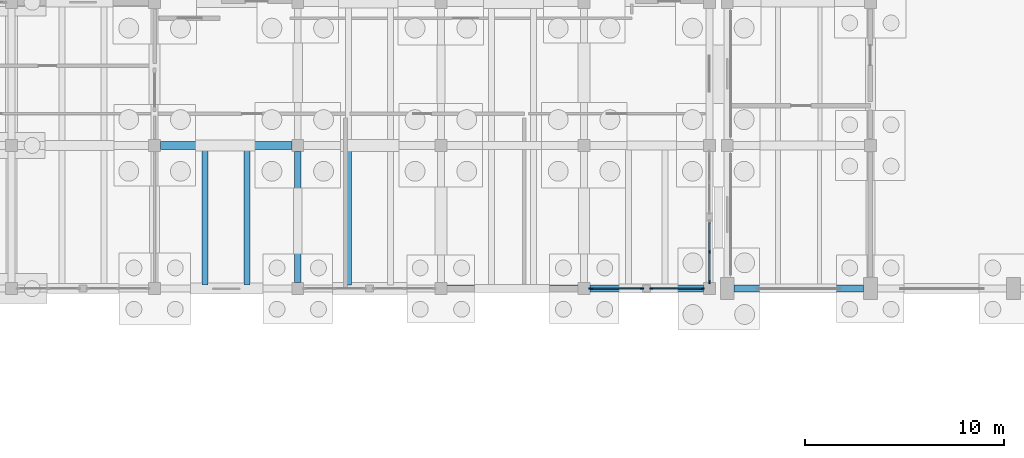
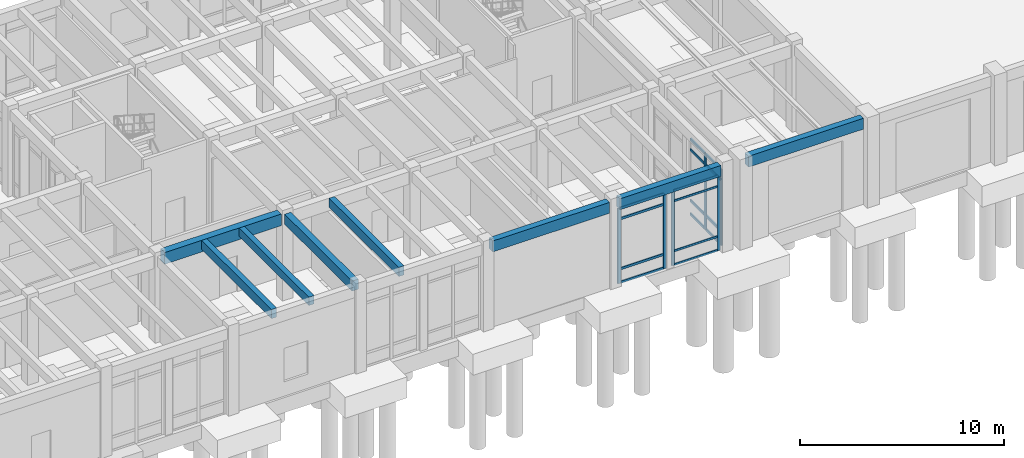
# One storey, part 24 of 93: 22 members, 8 beams, 3 elements without a shape of their own.
"""IFC4 building model written with IfcOpenShell, lengths in metres."""

import ifcopenshell
import ifcopenshell.guid

model = None  # the IFC model being written
_history = None  # IfcOwnerHistory: only IFC2X3 demands one
_inside = {}  # id of a spatial element -> (the spatial element, [elements in it])
_under = {}  # id of a project, library or spatial element -> (it, [spatial elements below it])
_declared = {}  # id of a project -> (the project, [libraries it declares])
_typed = {}  # id of a type object -> (the type object, [elements of that type])
_made_of = {}  # id of a material, layer set ... -> (it, [elements and type objects made of it])


def new_model(schema):
    """Start an empty IFC model of exactly this schema.

    Asked for "IFC4X3", IfcOpenShell would pick the latest addendum, in which some entities
    have other attributes; the version numbers below select the first issue.
    IFC2X3 requires an IfcOwnerHistory on every rooted entity: one is made here for all.
    """
    global model, _history
    if schema == "IFC4X3":
        model = ifcopenshell.file(schema_version=(4, 3, 0, 0))
    else:
        model = ifcopenshell.file(schema=schema)
    _inside.clear()
    _under.clear()
    _declared.clear()
    _typed.clear()
    _made_of.clear()
    _history = None
    if model.schema == "IFC2X3":
        org = make("IfcOrganization", Name="unknown")
        user = make(
            "IfcPersonAndOrganization",
            ThePerson=make("IfcPerson", FamilyName="unknown"),
            TheOrganization=org,
        )
        app = make(
            "IfcApplication",
            ApplicationDeveloper=org,
            Version="unknown",
            ApplicationFullName="unknown",
            ApplicationIdentifier="unknown",
        )
        _history = make(
            "IfcOwnerHistory",
            OwningUser=user,
            OwningApplication=app,
            ChangeAction="ADDED",
            CreationDate=0,
        )
    return model


def make(cls, **values):
    """One entity of the class cls with the attributes given. An attribute that is None is left unset."""
    return model.create_entity(
        cls, **{name: value for name, value in values.items() if value is not None}
    )


def rooted(cls, **values):
    """An entity with a GlobalId (a new one), such as an element, a storey or a relation."""
    return make(cls, GlobalId=ifcopenshell.guid.new(), OwnerHistory=_history, **values)


def si_unit(unit_type, name, prefix=None):
    """IfcSIUnit, for example si_unit("LENGTHUNIT", "METRE", prefix="MILLI")."""
    return make("IfcSIUnit", UnitType=unit_type, Prefix=prefix, Name=name)


def assignment(units):
    """IfcUnitAssignment: the units of a project."""
    return None if units is None else make("IfcUnitAssignment", Units=units)


def point(xyz):
    """IfcCartesianPoint."""
    return None if xyz is None else make("IfcCartesianPoint", Coordinates=xyz)


def direction(xyz):
    """IfcDirection."""
    return None if xyz is None else make("IfcDirection", DirectionRatios=xyz)


def frame(location, z_axis=None, x_axis=None):
    """IfcAxis2Placement3D, a coordinate frame: its origin and axes. An axis left out is left unset."""
    return make(
        "IfcAxis2Placement3D",
        Location=point(location),
        Axis=direction(z_axis),
        RefDirection=direction(x_axis),
    )


def frame_2d(location, x_axis=None):
    """IfcAxis2Placement2D, a coordinate frame in the plane: its origin and x axis."""
    return make(
        "IfcAxis2Placement2D", Location=point(location), RefDirection=direction(x_axis)
    )


def origin():
    """The frame at (0, 0, 0) with its axes left unset."""
    return frame((0.0, 0.0, 0.0))


def origin_2d():
    """The frame at (0, 0) in the plane with its x axis left unset."""
    return frame_2d((0.0, 0.0))


def place(relative_to, where):
    """IfcLocalPlacement: puts the frame where relative to a parent placement (None: the world)."""
    return make(
        "IfcLocalPlacement", PlacementRelTo=relative_to, RelativePlacement=where
    )


def context(
    kind, dimensions, precision=None, world=None, true_north=None, identifier=None
):
    """IfcGeometricRepresentationContext, for example the 3D "Model" context."""
    return make(
        "IfcGeometricRepresentationContext",
        ContextIdentifier=identifier,
        ContextType=kind,
        CoordinateSpaceDimension=dimensions,
        Precision=precision,
        WorldCoordinateSystem=world,
        TrueNorth=true_north,
    )


def subcontext(parent, identifier, kind, view, scale=None):
    """IfcGeometricRepresentationSubContext, for example "Body" below "Model"."""
    return make(
        "IfcGeometricRepresentationSubContext",
        ContextIdentifier=identifier,
        ContextType=kind,
        ParentContext=parent,
        TargetScale=scale,
        TargetView=view,
    )


def project(units=None, contexts=None):
    """IfcProject with its units and contexts."""
    return rooted(
        "IfcProject",
        Name="project",
        RepresentationContexts=contexts,
        UnitsInContext=assignment(units),
    )


def spatial(cls, under=None, at=None, **own):
    """A site, building, storey or space (cls), placed at a placement, below another one or the project."""
    s = rooted(cls, ObjectPlacement=at, **own)
    if under is not None:
        _under.setdefault(under.id(), (under, []))[1].append(s)
    return s


def profile(cls, at=None, kind="AREA", **sizes):
    """A parametric profile (cls). Its sizes go by their IFC names, for example OverallWidth=200.0."""
    return make(cls, ProfileType=kind, Position=at, **sizes)


def rectangle(**sizes):
    """IfcRectangleProfileDef."""
    return profile("IfcRectangleProfileDef", **sizes)


def extrude(swept, where, along, depth):
    """IfcExtrudedAreaSolid: the profile swept, set in the frame where, extruded along a direction by depth."""
    return make(
        "IfcExtrudedAreaSolid",
        SweptArea=swept,
        Position=where,
        ExtrudedDirection=direction(along),
        Depth=depth,
    )


def shape(context_of_items, identifier, shape_type, items):
    """IfcShapeRepresentation: the items that make up one representation, for example the "Body"."""
    return make(
        "IfcShapeRepresentation",
        ContextOfItems=context_of_items,
        RepresentationIdentifier=identifier,
        RepresentationType=shape_type,
        Items=items,
    )


def material(Name=None, Category=None):
    """IfcMaterial."""
    return make("IfcMaterial", Name=Name, Category=Category)


def layer(
    of_material, thickness, ventilated=None, Name=None, Category=None, Priority=None
):
    """IfcMaterialLayer: one layer of a wall or slab, of a material (None: an air gap)."""
    return make(
        "IfcMaterialLayer",
        Material=of_material,
        LayerThickness=thickness,
        IsVentilated=ventilated,
        Name=Name,
        Category=Category,
        Priority=Priority,
    )


def layer_set(layers, Name=None):
    """IfcMaterialLayerSet."""
    return make("IfcMaterialLayerSet", MaterialLayers=layers, LayerSetName=Name)


def material_profile(
    of_material, cross_section, Name=None, Category=None, Priority=None
):
    """IfcMaterialProfile: a cross section and its material."""
    return make(
        "IfcMaterialProfile",
        Name=Name,
        Material=of_material,
        Profile=cross_section,
        Priority=Priority,
        Category=Category,
    )


def profile_set(profiles, Name=None, composite=None):
    """IfcMaterialProfileSet."""
    return make(
        "IfcMaterialProfileSet",
        Name=Name,
        MaterialProfiles=profiles,
        CompositeProfile=composite,
    )


def made_of(thing, what):
    """Note that an element or type object is made of a material, layer set ...; save() writes the relation."""
    if what is not None:
        _made_of.setdefault(what.id(), (what, []))[1].append(thing)
    return thing


def type_object(cls, material=None, **own):
    """A type object (cls), such as IfcWallType, which elements share."""
    return made_of(rooted(cls, **own), material)


def element(
    cls,
    number,
    at=None,
    inside=None,
    cuts=None,
    type_object=None,
    material=None,
    context=None,
    identifier="Body",
    shape_type=None,
    held_by="IfcProductDefinitionShape",
    body=None,
    shapes=None,
    **own,
):
    """One element of the class cls, such as IfcWall. Its Tag is "e" and its number.

    at: its placement. inside: the storey or other place that contains it. cuts: it is an
    opening in that element (IfcRelVoidsElement). A single representation is given by context,
    identifier, shape_type and body (its items); several are given by shapes. held_by: the class
    of the entity that holds the representations. save() writes the other relations.
    """
    e = rooted(cls, Tag="e%d" % number, ObjectPlacement=at, **own)
    if body is not None:
        shapes = [shape(context, identifier, shape_type, body)]
    if shapes is not None:
        e.Representation = make(held_by, Representations=shapes)
    if inside is not None:
        _inside.setdefault(inside.id(), (inside, []))[1].append(e)
    if cuts is not None:
        rooted(
            "IfcRelVoidsElement", RelatingBuildingElement=cuts, RelatedOpeningElement=e
        )
    if type_object is not None:
        _typed.setdefault(type_object.id(), (type_object, []))[1].append(e)
    return made_of(e, material)


def aggregate(whole, parts):
    """IfcRelAggregates: a whole, such as a stair, and the parts it consists of."""
    return rooted("IfcRelAggregates", RelatingObject=whole, RelatedObjects=parts)


def save(model, path):
    """Write the relations noted so far, then the file.

    IfcRelAggregates (storeys below a building ...), IfcRelContainedInSpatialStructure (elements
    in a storey), IfcRelDefinesByType, IfcRelAssociatesMaterial and IfcRelDeclares: one each for
    every whole, place, type object, material and project.
    """
    for whole, parts in _under.values():
        aggregate(whole, parts)
    for where, things in _inside.values():
        rooted(
            "IfcRelContainedInSpatialStructure",
            RelatedElements=things,
            RelatingStructure=where,
        )
    for kind, things in _typed.values():
        rooted("IfcRelDefinesByType", RelatedObjects=things, RelatingType=kind)
    for what, things in _made_of.values():
        rooted("IfcRelAssociatesMaterial", RelatedObjects=things, RelatingMaterial=what)
    for by, libraries in _declared.values():
        rooted("IfcRelDeclares", RelatingContext=by, RelatedDefinitions=libraries)
    model.write(path)


model = new_model("IFC4")

# Units and contexts
model_context = context("Model", 3, precision=1e-05, world=origin(), true_north=direction((0.0, 1.0)))
body_context = subcontext(model_context, "Body", "Model", "MODEL_VIEW")
ifc_project = project(units=[si_unit("LENGTHUNIT", "METRE"), si_unit("AREAUNIT", "SQUARE_METRE"), si_unit("VOLUMEUNIT", "CUBIC_METRE"), si_unit("PLANEANGLEUNIT", "RADIAN"), si_unit("MASSUNIT", "GRAM", prefix="KILO")], contexts=[model_context])

# Site, building, storey
site_placement = place(None, origin())
site = spatial("IfcSite", under=ifc_project, at=site_placement, CompositionType="ELEMENT")
building_placement = place(site_placement, origin())
building = spatial("IfcBuilding", under=site, at=building_placement, Name="Koriwan Promenade Central Fire Station", CompositionType="ELEMENT")
storey_placement = place(building_placement, origin())
storey = spatial("IfcBuildingStorey", under=building, at=storey_placement, Name="L00", CompositionType="ELEMENT", Elevation=0.0)

# Beams
ifc_material_1 = material(Name="Concrete C35/45", Category="concrete")
ifc_material_profile_1 = material_profile(ifc_material_1, rectangle(XDim=0.300048828125, YDim=0.5, at=origin_2d()), Name="RC-BM-300x500")
ifc_profile_set_1 = profile_set([ifc_material_profile_1], Name="Concrete C35/45")
beam_type_1 = type_object("IfcBeamType", Name="Beam_RC-BM-300x500", PredefinedType="JOIST", material=ifc_profile_set_1)
beam_1_placement = place(storey_placement, frame((33.4560546875, 43.375, 4.89990234375), z_axis=(0.0, 1.0, 0.0), x_axis=(-1.0, 0.0, 0.0)))
element("IfcBeam", 1, at=beam_1_placement, inside=storey, type_object=beam_type_1, Name="V4 L00 secondary joist 387", PredefinedType="JOIST", context=body_context, shape_type="SweptSolid", body=[
    extrude(rectangle(XDim=0.300048828125, YDim=0.5, at=origin_2d()), origin(), (0.0, 0.0, 1.0), 6.824951171875),
])
ifc_material_profile_2 = material_profile(ifc_material_1, rectangle(XDim=0.300048828125, YDim=0.550048828125, at=origin_2d()), Name="RC-BM-300x550")
ifc_profile_set_2 = profile_set([ifc_material_profile_2], Name="Concrete C35/45")
beam_type_2 = type_object("IfcBeamType", Name="Beam_RC-BM-300x550", PredefinedType="JOIST", material=ifc_profile_set_2)
for number, where, z_axis, x_axis, name in (
    (2, (31.343994140625, 43.375, 4.875), (0.0, 1.0, 0.0), (-1.0, 0.0, 0.0), "V4 L00 secondary joist 386"),
    (3, (38.5439453125, 43.375, 4.875), (0.0, 1.0, 0.0), (-1.0, 0.0, 0.0), "V4 L00 secondary joist 388"),
):
    element("IfcBeam", number, at=place(storey_placement, frame(where, z_axis=z_axis, x_axis=x_axis)), inside=storey, type_object=beam_type_2, Name=name, PredefinedType="JOIST", context=body_context, shape_type="SweptSolid", body=[
        extrude(rectangle(XDim=0.300048828125, YDim=0.550048828125, at=origin_2d()), origin(), (0.0, 0.0, 1.0), 6.824951171875),
    ])
ifc_material_profile_3 = material_profile(ifc_material_1, rectangle(XDim=0.35009765625, YDim=0.60009765625, at=origin_2d()), Name="RC-BM-350x600")
ifc_profile_set_3 = profile_set([ifc_material_profile_3], Name="Concrete C35/45")
beam_type_3 = type_object("IfcBeamType", Name="Beam_RC-BM-350x600", PredefinedType="BEAM", material=ifc_profile_set_3)
beam_2_placement = place(storey_placement, frame((36.0, 43.5, 4.85009765625), z_axis=(0.0, 1.0, 0.0), x_axis=(-1.0, 0.0, 0.0)))
element("IfcBeam", 4, at=beam_2_placement, inside=storey, type_object=beam_type_3, Name="V4 L00 girder Y-366", PredefinedType="BEAM", context=body_context, shape_type="SweptSolid", body=[
    extrude(rectangle(XDim=0.35009765625, YDim=0.60009765625, at=origin_2d()), origin(), (0.0, 0.0, 1.0), 6.60009765625),
])
ifc_material_profile_4 = material_profile(ifc_material_1, rectangle(XDim=0.39990234375, YDim=0.699951171875, at=origin_2d()), Name="RC-BM-400x700")
ifc_profile_set_4 = profile_set([ifc_material_profile_4], Name="Concrete C35/45")
beam_type_4 = type_object("IfcBeamType", Name="Beam_RC-BM-400x700", PredefinedType="BEAM", material=ifc_profile_set_4)
beam_3_placement = place(storey_placement, frame((29.10009765625, 50.39990234375, 4.800048828125), z_axis=(1.0, 0.0, 0.0), x_axis=(0.0, 1.0, 0.0)))
element("IfcBeam", 5, at=beam_3_placement, inside=storey, type_object=beam_type_4, Name="V4 L00 girder X-336", PredefinedType="BEAM", context=body_context, shape_type="SweptSolid", body=[
    extrude(rectangle(XDim=0.39990234375, YDim=0.699951171875, at=origin_2d()), origin(), (0.0, 0.0, 1.0), 6.599853515625),
])
ifc_material_profile_5 = material_profile(ifc_material_1, rectangle(XDim=0.35009765625, YDim=0.64990234375, at=origin_2d()), Name="RC-SP-350x650")
ifc_profile_set_5 = profile_set([ifc_material_profile_5], Name="Concrete C35/45")
beam_type_5 = type_object("IfcBeamType", Name="Beam_RC-SP-350x650", PredefinedType="SPANDREL", material=ifc_profile_set_5)
beam_4_placement = place(storey_placement, frame((57.949951171875, 43.199951171875, 4.824951171875), z_axis=(1.0, 0.0, 0.0), x_axis=(0.0, 1.0, 0.0)))
element("IfcBeam", 6, at=beam_4_placement, inside=storey, type_object=beam_type_5, Name="V1 L00 girder X-1", PredefinedType="SPANDREL", context=body_context, shape_type="SweptSolid", body=[
    extrude(rectangle(XDim=0.35009765625, YDim=0.64990234375, at=origin_2d()), origin(), (0.0, 0.0, 1.0), 6.5),
])
beam_5_placement = place(storey_placement, frame((43.5, 43.199951171875, 4.824951171875), z_axis=(1.0, 0.0, 0.0), x_axis=(0.0, 1.0, 0.0)))
element("IfcBeam", 7, at=beam_5_placement, inside=storey, type_object=beam_type_5, Name="V4 L00 girder X-330", PredefinedType="SPANDREL", context=body_context, shape_type="SweptSolid", body=[
    extrude(rectangle(XDim=0.35009765625, YDim=0.64990234375, at=origin_2d()), origin(), (0.0, 0.0, 1.0), 6.60009765625),
])
beam_6_placement = place(storey_placement, frame((50.699951171875, 43.199951171875, 4.824951171875), z_axis=(1.0, 0.0, 0.0), x_axis=(0.0, 1.0, 0.0)))
element("IfcBeam", 8, at=beam_6_placement, inside=storey, type_object=beam_type_5, Name="V4 L00 girder X-331", PredefinedType="SPANDREL", context=body_context, shape_type="SweptSolid", body=[
    extrude(rectangle(XDim=0.35009765625, YDim=0.64990234375, at=origin_2d()), origin(), (0.0, 0.0, 1.0), 5.699951171875),
])

# Curtain wall, members
ifc_material_2 = material(Name="Aluminium EN AW-6063-T6 and low-E glazing", Category="aluminium")
ifc_layer_1 = layer(ifc_material_2, 0.159912109375, Name="Aluminium EN AW-6063-T6 and low-E glazing")
ifc_layer_set_1 = layer_set([ifc_layer_1], Name="Aluminium EN AW-6063-T6 and low-E glazing")
curtain_wall_type_1 = type_object("IfcCurtainWallType", Name="CurtainWall_40_265x449", PredefinedType="USERDEFINED", material=ifc_layer_set_1)
curtain_wall_1_placement = place(storey_placement, origin())
curtain_wall_1 = element("IfcCurtainWall", 9, at=curtain_wall_1_placement, inside=storey, type_object=curtain_wall_type_1, Name="V4 L00 unitised curtain wall 101", ObjectType="UNITISED CURTAIN WALL", PredefinedType="USERDEFINED")
ifc_material_3 = material(Name="Aluminium EN AW-6063-T6", Category="aluminium")
ifc_material_profile_6 = material_profile(ifc_material_3, rectangle(XDim=0.06494140625, YDim=0.159912109375, at=origin_2d()), Name="ALU-MUL-65x160")
ifc_profile_set_6 = profile_set([ifc_material_profile_6], Name="Aluminium EN AW-6063-T6")
member_type_1 = type_object("IfcMemberType", Name="CWMullion_ALU-MUL-65x160", PredefinedType="MULLION", material=ifc_profile_set_6)
member_1_placement = place(storey_placement, frame((56.367431640625, 43.199951171875, 0.0), z_axis=(0.0, 0.0, 1.0), x_axis=(0.0, -1.0, 0.0)))
member_1 = element("IfcMember", 10, at=member_1_placement, type_object=member_type_1, Name="CW-40 mullion 1", PredefinedType="MULLION", context=body_context, shape_type="SweptSolid", body=[
    extrude(rectangle(XDim=0.06494140625, YDim=0.159912109375, at=origin_2d()), origin(), (0.0, 0.0, 1.0), 4.489990234375),
])
member_2_placement = place(storey_placement, frame((53.782470703125, 43.199951171875, 0.0), z_axis=(0.0, 0.0, 1.0), x_axis=(0.0, -1.0, 0.0)))
member_2 = element("IfcMember", 11, at=member_2_placement, type_object=member_type_1, Name="CW-40 mullion 2", PredefinedType="MULLION", context=body_context, shape_type="SweptSolid", body=[
    extrude(rectangle(XDim=0.06494140625, YDim=0.159912109375, at=origin_2d()), origin(), (0.0, 0.0, 1.0), 4.489990234375),
])

ifc_layer_2 = layer(ifc_material_2, 0.159912109375, Name="Aluminium EN AW-6063-T6 and low-E glazing")
ifc_layer_set_2 = layer_set([ifc_layer_2], Name="Aluminium EN AW-6063-T6 and low-E glazing")
curtain_wall_type_2 = type_object("IfcCurtainWallType", Name="CurtainWall_34_310x454", PredefinedType="USERDEFINED", material=ifc_layer_set_2)
curtain_wall_2_placement = place(storey_placement, origin())
curtain_wall_2 = element("IfcCurtainWall", 12, at=curtain_wall_2_placement, inside=storey, type_object=curtain_wall_type_2, Name="V4 L00 unitised curtain wall 100", ObjectType="UNITISED CURTAIN WALL", PredefinedType="USERDEFINED")
ifc_material_profile_7 = material_profile(ifc_material_3, rectangle(XDim=0.074951171875, YDim=0.179931640625, at=origin_2d()), Name="ALU-MUL-75x180")
ifc_profile_set_7 = profile_set([ifc_material_profile_7], Name="Aluminium EN AW-6063-T6")
member_type_2 = type_object("IfcMemberType", Name="CWMullion_ALU-MUL-75x180", PredefinedType="MULLION", material=ifc_profile_set_7)
member_3_placement = place(storey_placement, frame((56.699951171875, 45.050048828125, 0.0), z_axis=(0.0, 0.0, 1.0), x_axis=(1.0, 0.0, 0.0)))
member_3 = element("IfcMember", 13, at=member_3_placement, type_object=member_type_2, Name="CW-34 mullion 2", PredefinedType="MULLION", context=body_context, shape_type="SweptSolid", body=[
    extrude(rectangle(XDim=0.074951171875, YDim=0.179931640625, at=origin_2d()), origin(), (0.0, 0.0, 1.0), 4.5400390625),
])
member_4_placement = place(storey_placement, frame((56.699951171875, 43.53759765625, 0.0), z_axis=(0.0, 0.0, 1.0), x_axis=(1.0, 0.0, 0.0)))
member_4 = element("IfcMember", 14, at=member_4_placement, type_object=member_type_2, Name="CW-34 mullion 3", PredefinedType="MULLION", context=body_context, shape_type="SweptSolid", body=[
    extrude(rectangle(XDim=0.074951171875, YDim=0.179931640625, at=origin_2d()), origin(), (0.0, 0.0, 1.0), 4.5400390625),
])

ifc_layer_3 = layer(ifc_material_2, 0.159912109375, Name="Aluminium EN AW-6063-T6 and low-E glazing")
ifc_layer_set_3 = layer_set([ifc_layer_3], Name="Aluminium EN AW-6063-T6 and low-E glazing")
curtain_wall_type_3 = type_object("IfcCurtainWallType", Name="CurtainWall_41_265x449", PredefinedType="USERDEFINED", material=ifc_layer_set_3)
curtain_wall_3_placement = place(storey_placement, origin())
curtain_wall_3 = element("IfcCurtainWall", 15, at=curtain_wall_3_placement, inside=storey, type_object=curtain_wall_type_3, Name="V4 L00 unitised curtain wall 102", ObjectType="UNITISED CURTAIN WALL", PredefinedType="USERDEFINED")
member_5_placement = place(storey_placement, frame((53.3125, 43.199951171875, 0.0), z_axis=(0.0, 0.0, 1.0), x_axis=(0.0, -1.0, 0.0)))
member_5 = element("IfcMember", 16, at=member_5_placement, type_object=member_type_2, Name="CW-41 mullion 1", PredefinedType="MULLION", context=body_context, shape_type="SweptSolid", body=[
    extrude(rectangle(XDim=0.074951171875, YDim=0.179931640625, at=origin_2d()), origin(), (0.0, 0.0, 1.0), 4.489990234375),
])
member_6_placement = place(storey_placement, frame((50.737548828125, 43.199951171875, 0.0), z_axis=(0.0, 0.0, 1.0), x_axis=(0.0, -1.0, 0.0)))
member_6 = element("IfcMember", 17, at=member_6_placement, type_object=member_type_2, Name="CW-41 mullion 2", PredefinedType="MULLION", context=body_context, shape_type="SweptSolid", body=[
    extrude(rectangle(XDim=0.074951171875, YDim=0.179931640625, at=origin_2d()), origin(), (0.0, 0.0, 1.0), 4.489990234375),
])

# Member
ifc_material_profile_8 = material_profile(ifc_material_3, rectangle(XDim=0.06494140625, YDim=0.1201171875, at=origin_2d()), Name="ALU-TRN-65x120")
ifc_profile_set_8 = profile_set([ifc_material_profile_8], Name="Aluminium EN AW-6063-T6")
member_type_3 = type_object("IfcMemberType", Name="CWTransom_ALU-TRN-65x120", PredefinedType="USERDEFINED", material=ifc_profile_set_8)
member_7_placement = place(storey_placement, frame((56.3349609375, 43.199951171875, 0.032470703125), z_axis=(-1.0, 0.0, 0.0), x_axis=(0.0, -1.0, 0.0)))
member_7 = element("IfcMember", 18, at=member_7_placement, type_object=member_type_3, Name="CW-40 transom 1.1", ObjectType="TRANSOM", PredefinedType="USERDEFINED", context=body_context, shape_type="SweptSolid", body=[
    extrude(rectangle(XDim=0.06494140625, YDim=0.1201171875, at=origin_2d()), origin(), (0.0, 0.0, 1.0), 2.52001953125),
])

member_8_placement = place(storey_placement, frame((56.3349609375, 43.199951171875, 0.85009765625), z_axis=(-1.0, 0.0, 0.0), x_axis=(0.0, -1.0, 0.0)))
member_8 = element("IfcMember", 19, at=member_8_placement, type_object=member_type_3, Name="CW-40 transom 1.2", ObjectType="TRANSOM", PredefinedType="USERDEFINED", context=body_context, shape_type="SweptSolid", body=[
    extrude(rectangle(XDim=0.06494140625, YDim=0.1201171875, at=origin_2d()), origin(), (0.0, 0.0, 1.0), 2.52001953125),
])

member_9_placement = place(storey_placement, frame((56.3349609375, 43.199951171875, 3.840087890625), z_axis=(-1.0, 0.0, 0.0), x_axis=(0.0, -1.0, 0.0)))
member_9 = element("IfcMember", 20, at=member_9_placement, type_object=member_type_3, Name="CW-40 transom 1.3", ObjectType="TRANSOM", PredefinedType="USERDEFINED", context=body_context, shape_type="SweptSolid", body=[
    extrude(rectangle(XDim=0.06494140625, YDim=0.1201171875, at=origin_2d()), origin(), (0.0, 0.0, 1.0), 2.52001953125),
])

member_10_placement = place(storey_placement, frame((56.3349609375, 43.199951171875, 4.45751953125), z_axis=(-1.0, 0.0, 0.0), x_axis=(0.0, -1.0, 0.0)))
member_10 = element("IfcMember", 21, at=member_10_placement, type_object=member_type_3, Name="CW-40 transom 1.4", ObjectType="TRANSOM", PredefinedType="USERDEFINED", context=body_context, shape_type="SweptSolid", body=[
    extrude(rectangle(XDim=0.06494140625, YDim=0.1201171875, at=origin_2d()), origin(), (0.0, 0.0, 1.0), 2.52001953125),
])

aggregate(curtain_wall_1, [member_1, member_2, member_7, member_8, member_9, member_10])

ifc_material_profile_9 = material_profile(ifc_material_3, rectangle(XDim=0.074951171875, YDim=0.139892578125, at=origin_2d()), Name="ALU-TRN-75x140")
ifc_profile_set_9 = profile_set([ifc_material_profile_9], Name="Aluminium EN AW-6063-T6")
member_type_4 = type_object("IfcMemberType", Name="CWTransom_ALU-TRN-75x140", PredefinedType="USERDEFINED", material=ifc_profile_set_9)
member_11_placement = place(storey_placement, frame((56.699951171875, 46.52490234375, 0.03759765625), z_axis=(0.0, -1.0, 0.0), x_axis=(1.0, 0.0, 0.0)))
member_11 = element("IfcMember", 22, at=member_11_placement, type_object=member_type_4, Name="CW-34 transom 1.1", ObjectType="TRANSOM", PredefinedType="USERDEFINED", context=body_context, shape_type="SweptSolid", body=[
    extrude(rectangle(XDim=0.074951171875, YDim=0.139892578125, at=origin_2d()), origin(), (0.0, 0.0, 1.0), 1.4375),
])

member_12_placement = place(storey_placement, frame((56.699951171875, 46.52490234375, 0.85009765625), z_axis=(0.0, -1.0, 0.0), x_axis=(1.0, 0.0, 0.0)))
member_12 = element("IfcMember", 23, at=member_12_placement, type_object=member_type_4, Name="CW-34 transom 1.2", ObjectType="TRANSOM", PredefinedType="USERDEFINED", context=body_context, shape_type="SweptSolid", body=[
    extrude(rectangle(XDim=0.074951171875, YDim=0.139892578125, at=origin_2d()), origin(), (0.0, 0.0, 1.0), 1.4375),
])

member_13_placement = place(storey_placement, frame((56.699951171875, 46.52490234375, 3.889892578125), z_axis=(0.0, -1.0, 0.0), x_axis=(1.0, 0.0, 0.0)))
member_13 = element("IfcMember", 24, at=member_13_placement, type_object=member_type_4, Name="CW-34 transom 1.3", ObjectType="TRANSOM", PredefinedType="USERDEFINED", context=body_context, shape_type="SweptSolid", body=[
    extrude(rectangle(XDim=0.074951171875, YDim=0.139892578125, at=origin_2d()), origin(), (0.0, 0.0, 1.0), 1.4375),
])

member_14_placement = place(storey_placement, frame((56.699951171875, 46.52490234375, 4.50244140625), z_axis=(0.0, -1.0, 0.0), x_axis=(1.0, 0.0, 0.0)))
member_14 = element("IfcMember", 25, at=member_14_placement, type_object=member_type_4, Name="CW-34 transom 1.4", ObjectType="TRANSOM", PredefinedType="USERDEFINED", context=body_context, shape_type="SweptSolid", body=[
    extrude(rectangle(XDim=0.074951171875, YDim=0.139892578125, at=origin_2d()), origin(), (0.0, 0.0, 1.0), 1.4375),
])

member_15_placement = place(storey_placement, frame((56.699951171875, 45.012451171875, 0.03759765625), z_axis=(0.0, -1.0, 0.0), x_axis=(1.0, 0.0, 0.0)))
member_15 = element("IfcMember", 26, at=member_15_placement, type_object=member_type_4, Name="CW-34 transom 2.1", ObjectType="TRANSOM", PredefinedType="USERDEFINED", context=body_context, shape_type="SweptSolid", body=[
    extrude(rectangle(XDim=0.074951171875, YDim=0.139892578125, at=origin_2d()), origin(), (0.0, 0.0, 1.0), 1.4375),
])

member_16_placement = place(storey_placement, frame((56.699951171875, 45.012451171875, 0.85009765625), z_axis=(0.0, -1.0, 0.0), x_axis=(1.0, 0.0, 0.0)))
member_16 = element("IfcMember", 27, at=member_16_placement, type_object=member_type_4, Name="CW-34 transom 2.2", ObjectType="TRANSOM", PredefinedType="USERDEFINED", context=body_context, shape_type="SweptSolid", body=[
    extrude(rectangle(XDim=0.074951171875, YDim=0.139892578125, at=origin_2d()), origin(), (0.0, 0.0, 1.0), 1.4375),
])

member_17_placement = place(storey_placement, frame((56.699951171875, 45.012451171875, 3.889892578125), z_axis=(0.0, -1.0, 0.0), x_axis=(1.0, 0.0, 0.0)))
member_17 = element("IfcMember", 28, at=member_17_placement, type_object=member_type_4, Name="CW-34 transom 2.3", ObjectType="TRANSOM", PredefinedType="USERDEFINED", context=body_context, shape_type="SweptSolid", body=[
    extrude(rectangle(XDim=0.074951171875, YDim=0.139892578125, at=origin_2d()), origin(), (0.0, 0.0, 1.0), 1.4375),
])

member_18_placement = place(storey_placement, frame((56.699951171875, 45.012451171875, 4.50244140625), z_axis=(0.0, -1.0, 0.0), x_axis=(1.0, 0.0, 0.0)))
member_18 = element("IfcMember", 29, at=member_18_placement, type_object=member_type_4, Name="CW-34 transom 2.4", ObjectType="TRANSOM", PredefinedType="USERDEFINED", context=body_context, shape_type="SweptSolid", body=[
    extrude(rectangle(XDim=0.074951171875, YDim=0.139892578125, at=origin_2d()), origin(), (0.0, 0.0, 1.0), 1.4375),
])

aggregate(curtain_wall_2, [member_3, member_4, member_11, member_12, member_13, member_14, member_15, member_16, member_17, member_18])

member_19_placement = place(storey_placement, frame((53.27490234375, 43.199951171875, 0.03759765625), z_axis=(-1.0, 0.0, 0.0), x_axis=(0.0, -1.0, 0.0)))
member_19 = element("IfcMember", 30, at=member_19_placement, type_object=member_type_4, Name="CW-41 transom 1.1", ObjectType="TRANSOM", PredefinedType="USERDEFINED", context=body_context, shape_type="SweptSolid", body=[
    extrude(rectangle(XDim=0.074951171875, YDim=0.139892578125, at=origin_2d()), origin(), (0.0, 0.0, 1.0), 2.5),
])

member_20_placement = place(storey_placement, frame((53.27490234375, 43.199951171875, 0.85009765625), z_axis=(-1.0, 0.0, 0.0), x_axis=(0.0, -1.0, 0.0)))
member_20 = element("IfcMember", 31, at=member_20_placement, type_object=member_type_4, Name="CW-41 transom 1.2", ObjectType="TRANSOM", PredefinedType="USERDEFINED", context=body_context, shape_type="SweptSolid", body=[
    extrude(rectangle(XDim=0.074951171875, YDim=0.139892578125, at=origin_2d()), origin(), (0.0, 0.0, 1.0), 2.5),
])

member_21_placement = place(storey_placement, frame((53.27490234375, 43.199951171875, 3.840087890625), z_axis=(-1.0, 0.0, 0.0), x_axis=(0.0, -1.0, 0.0)))
member_21 = element("IfcMember", 32, at=member_21_placement, type_object=member_type_4, Name="CW-41 transom 1.3", ObjectType="TRANSOM", PredefinedType="USERDEFINED", context=body_context, shape_type="SweptSolid", body=[
    extrude(rectangle(XDim=0.074951171875, YDim=0.139892578125, at=origin_2d()), origin(), (0.0, 0.0, 1.0), 2.5),
])

member_22_placement = place(storey_placement, frame((53.27490234375, 43.199951171875, 4.452392578125), z_axis=(-1.0, 0.0, 0.0), x_axis=(0.0, -1.0, 0.0)))
member_22 = element("IfcMember", 33, at=member_22_placement, type_object=member_type_4, Name="CW-41 transom 1.4", ObjectType="TRANSOM", PredefinedType="USERDEFINED", context=body_context, shape_type="SweptSolid", body=[
    extrude(rectangle(XDim=0.074951171875, YDim=0.139892578125, at=origin_2d()), origin(), (0.0, 0.0, 1.0), 2.5),
])

aggregate(curtain_wall_3, [member_5, member_6, member_19, member_20, member_21, member_22])

save(model, "model.ifc")
